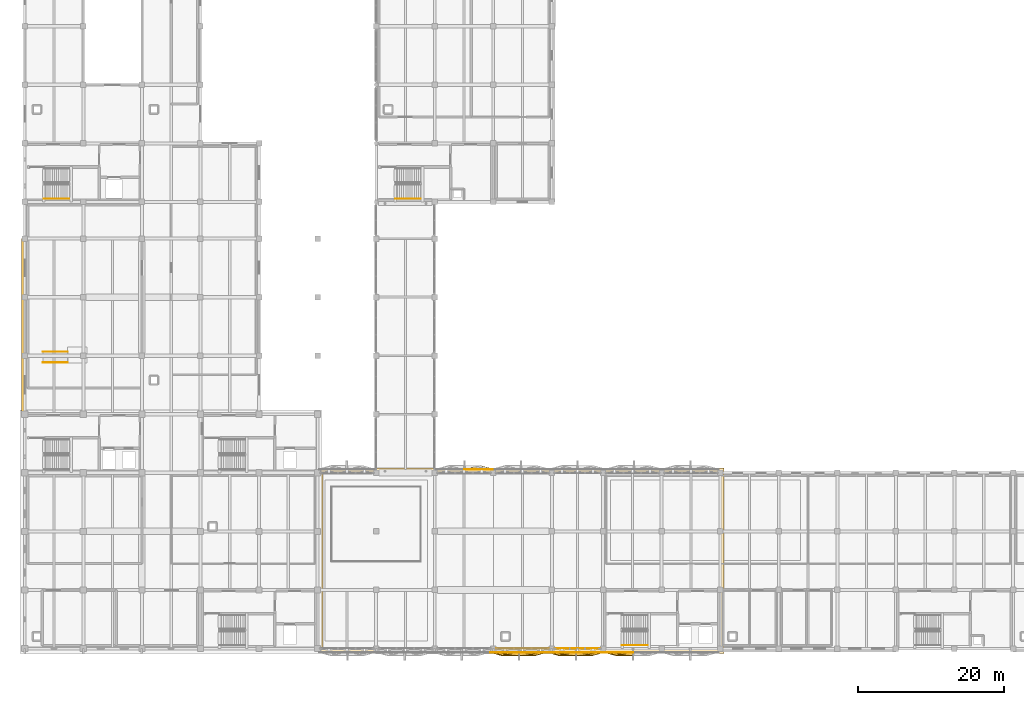
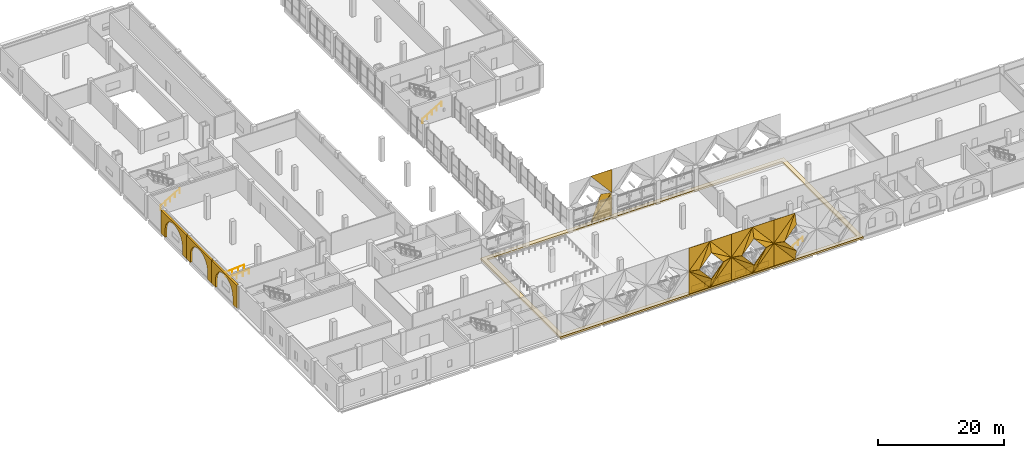
# One storey, part 45 of 53: 43 coverings, 5 railings.
"""IFC4 building model written with IfcOpenShell, lengths in metres."""

from ifc_helpers import new_model, si_unit, direction, frame, origin, origin_2d, place, context, subcontext, project, spatial, polyline, rectangle, circle, outline, extrude, material, layer, layer_set, type_object, element, save


model = new_model("IFC4")

# Units and contexts
model_context = context("Model", 3, precision=1e-05, world=origin(), true_north=direction((0.0, 1.0)))
body_context = subcontext(model_context, "Body", "Model", "MODEL_VIEW")
ifc_project = project(units=[si_unit("LENGTHUNIT", "METRE"), si_unit("AREAUNIT", "SQUARE_METRE"), si_unit("VOLUMEUNIT", "CUBIC_METRE"), si_unit("PLANEANGLEUNIT", "RADIAN"), si_unit("MASSUNIT", "GRAM", prefix="KILO")], contexts=[model_context])

# Site, building, storey
site_placement = place(None, origin())
site = spatial("IfcSite", under=ifc_project, at=site_placement, CompositionType="ELEMENT")
building_placement = place(site_placement, origin())
building = spatial("IfcBuilding", under=site, at=building_placement, Name="Qorikala Patio Media Centre", CompositionType="ELEMENT")
storey_placement = place(building_placement, frame((0.0, 0.0, 5.39990234375)))
storey = spatial("IfcBuildingStorey", under=building, at=storey_placement, Name="L01", CompositionType="ELEMENT", Elevation=5.39990234375)

# Coverings
ifc_material_1 = material(Name="Golden Bronze Anodised Aluminium Panel", Category="aluminium")
ifc_layer_1 = layer(ifc_material_1, 0.044921875)
ifc_layer_set_1 = layer_set([ifc_layer_1], Name="Golden Bronze Anodised Aluminium Panel")
covering_type_1 = type_object("IfcCoveringType", Name="COV-CLAD-GOLD", PredefinedType="CLADDING", material=ifc_layer_set_1)
for number, where, z_axis, x_axis, name in (
    (1, (80.59326171875, 3.0, 0.0), (0.0, 0.0, 1.0), (-1.0, 0.0, 0.0), "L01 Golden Diamond Fold Spandrel 025"),
    (2, (78.5, 3.0, 0.0), (0.0, 0.0, 1.0), (-1.0, 0.0, 0.0), "L01 Golden Diamond Fold Spandrel 026"),
    (3, (76.40673828125, 3.0, 0.0), (0.0, 0.0, 1.0), (-1.0, 0.0, 0.0), "L01 Golden Diamond Fold Spandrel 027"),
):
    element("IfcCovering", number, at=place(storey_placement, frame(where, z_axis=z_axis, x_axis=x_axis)), inside=storey, type_object=covering_type_1, Name=name, PredefinedType="CLADDING", context=body_context, shape_type="SweptSolid", body=[
        extrude(rectangle(XDim=1.993408203125, YDim=0.044921875, at=origin_2d()), origin(), (0.0, 0.0, 1.0), 1.077880859375),
    ])
for number, where, z_axis, x_axis, name in (
    (4, (73.4267578125, 3.0, 0.0), (0.0, 0.0, 1.0), (-1.0, 0.0, 0.0), "L01 Golden Diamond Fold Spandrel 028"),
    (5, (71.0, 3.0, 0.0), (0.0, 0.0, 1.0), (-1.0, 0.0, 0.0), "L01 Golden Diamond Fold Spandrel 029"),
    (6, (68.5732421875, 3.0, 0.0), (0.0, 0.0, 1.0), (-1.0, 0.0, 0.0), "L01 Golden Diamond Fold Spandrel 030"),
):
    element("IfcCovering", number, at=place(storey_placement, frame(where, z_axis=z_axis, x_axis=x_axis)), inside=storey, type_object=covering_type_1, Name=name, PredefinedType="CLADDING", context=body_context, shape_type="SweptSolid", body=[
        extrude(rectangle(XDim=2.32666015625, YDim=0.044921875, at=origin_2d()), origin(), (0.0, 0.0, 1.0), 1.077880859375),
    ])
covering_1_placement = place(storey_placement, frame((70.5, 2.5, 9.0), z_axis=(-0.25998959314, -0.938955221267, 0.225318671919), x_axis=(-0.654921173069, 0.0, -0.755697199324)))
element("IfcCovering", 7, at=covering_1_placement, inside=storey, type_object=covering_type_1, Name="Golden Folded Diamond Facet S-1.4.TLA", PredefinedType="CLADDING", context=body_context, shape_type="SweptSolid", body=[
    extrude(outline(polyline([(0.0, 0.0), (5.9547660147806605, 4.440892098500626e-16), (4.831038962942992, 1.3809397672346417), (0.0, 0.0)])), origin(), (0.0, 0.0, -1.0), 0.044921875),
])
covering_2_placement = place(storey_placement, frame((70.5, 2.5, 9.0), z_axis=(-0.259960295692, -0.938966460381, 0.225305638952), x_axis=(-0.434683585743, -0.094555584379, -0.895605617305)))
element("IfcCovering", 8, at=covering_2_placement, inside=storey, type_object=covering_type_1, Name="Golden Folded Diamond Facet S-1.4.TLB", PredefinedType="CLADDING", context=body_context, shape_type="SweptSolid", body=[
    extrude(outline(polyline([(0.0, 0.0), (5.024533023297128, 0.0), (1.8182047664907954, 0.9166088951760534), (0.0, 0.0)])), origin(), (0.0, 0.0, -1.0), 0.044921875),
])
covering_3_placement = place(storey_placement, frame((74.39990234375, 2.5, 4.5), z_axis=(0.259973591034, -0.938962979761, 0.225304803775), x_axis=(-0.654921173069, 0.0, 0.755697199324)))
element("IfcCovering", 9, at=covering_3_placement, inside=storey, type_object=covering_type_1, Name="Golden Folded Diamond Facet S-1.4.TRA", PredefinedType="CLADDING", context=body_context, shape_type="SweptSolid", body=[
    extrude(outline(polyline([(0.0, 0.0), (5.9547660147806605, -4.440892098500626e-16), (4.458500319829892, 1.3810247679600853), (0.0, 0.0)])), origin(), (0.0, 0.0, -1.0), 0.044921875),
])
covering_4_placement = place(storey_placement, frame((74.39990234375, 2.5, 4.5), z_axis=(0.259988869131, -0.938952606503, 0.225330403337), x_axis=(-0.83554610606, -0.10178870179, 0.539909033852)))
element("IfcCovering", 10, at=covering_4_placement, inside=storey, type_object=covering_type_1, Name="Golden Folded Diamond Facet S-1.4.TRB", PredefinedType="CLADDING", context=body_context, shape_type="SweptSolid", body=[
    extrude(outline(polyline([(0.0, 0.0), (4.667489101395145, -4.440892098500626e-16), (1.4820065544618495, 0.9866173018419853), (0.0, 0.0)])), origin(), (0.0, 0.0, -1.0), 0.044921875),
])
covering_5_placement = place(storey_placement, frame((70.5, 2.5, 0.0), z_axis=(-0.25998959314, 0.938955221267, 0.225318671919), x_axis=(0.654921173069, 0.0, 0.755697199324)))
element("IfcCovering", 11, at=covering_5_placement, inside=storey, type_object=covering_type_1, Name="Golden Folded Diamond Facet S-1.4.BRA", PredefinedType="CLADDING", context=body_context, shape_type="SweptSolid", body=[
    extrude(outline(polyline([(0.0, 0.0), (5.9547660147806605, -4.440892098500626e-16), (4.831038962942992, -1.3809397672346417), (0.0, 0.0)])), origin(), (0.0, 0.0, -1.0), 0.044921875),
])
covering_6_placement = place(storey_placement, frame((70.5, 2.5, 0.0), z_axis=(-0.259960295692, 0.938966460381, 0.225305638952), x_axis=(0.434683585743, -0.094555584379, 0.895605617305)))
element("IfcCovering", 12, at=covering_6_placement, inside=storey, type_object=covering_type_1, Name="Golden Folded Diamond Facet S-1.4.BRB", PredefinedType="CLADDING", context=body_context, shape_type="SweptSolid", body=[
    extrude(outline(polyline([(0.0, 0.0), (5.024533023297128, 0.0), (1.8182047664907954, -0.9166088951760534), (0.0, 0.0)])), origin(), (0.0, 0.0, -1.0), 0.044921875),
])
covering_7_placement = place(storey_placement, frame((66.60009765625, 2.5, 4.5), z_axis=(0.259973591034, 0.938962979761, 0.225304803775), x_axis=(0.654921173069, 0.0, -0.755697199324)))
element("IfcCovering", 13, at=covering_7_placement, inside=storey, type_object=covering_type_1, Name="Golden Folded Diamond Facet S-1.4.BLA", PredefinedType="CLADDING", context=body_context, shape_type="SweptSolid", body=[
    extrude(outline(polyline([(0.0, 0.0), (5.9547660147806605, 4.440892098500626e-16), (4.458500319829892, -1.3810247679600853), (0.0, 0.0)])), origin(), (0.0, 0.0, -1.0), 0.044921875),
])
covering_8_placement = place(storey_placement, frame((66.60009765625, 2.5, 4.5), z_axis=(0.259988869131, 0.938952606503, 0.225330403337), x_axis=(0.83554610606, -0.10178870179, -0.539909033852)))
element("IfcCovering", 14, at=covering_8_placement, inside=storey, type_object=covering_type_1, Name="Golden Folded Diamond Facet S-1.4.BLB", PredefinedType="CLADDING", context=body_context, shape_type="SweptSolid", body=[
    extrude(outline(polyline([(0.0, 0.0), (4.667489101395145, 4.440892098500626e-16), (1.4820065544618495, -0.9866173018419853), (0.0, 0.0)])), origin(), (0.0, 0.0, -1.0), 0.044921875),
])
covering_9_placement = place(storey_placement, frame((66.60009765625, 2.5, 9.0), z_axis=(0.0, 1.0, 0.0), x_axis=(1.0, 0.0, 0.0)))
element("IfcCovering", 15, at=covering_9_placement, inside=storey, type_object=covering_type_1, Name="Golden Diamond Valley Spandrel S-1.4.CTL", PredefinedType="CLADDING", context=body_context, shape_type="SweptSolid", body=[
    extrude(outline(polyline([(0.0, 0.0), (3.89990234375, 0.0), (0.0, 4.5), (0.0, 0.0)])), origin(), (0.0, 0.0, -1.0), 0.044921875),
])
covering_10_placement = place(storey_placement, frame((74.39990234375, 2.5, 9.0), z_axis=(0.0, 1.0, 0.0), x_axis=(0.0, 0.0, -1.0)))
element("IfcCovering", 16, at=covering_10_placement, inside=storey, type_object=covering_type_1, Name="Golden Diamond Valley Spandrel S-1.4.CTR", PredefinedType="CLADDING", context=body_context, shape_type="SweptSolid", body=[
    extrude(outline(polyline([(0.0, 0.0), (4.5, 0.0), (0.0, 3.89990234375), (0.0, 0.0)])), origin(), (0.0, 0.0, -1.0), 0.044921875),
])
covering_11_placement = place(storey_placement, frame((74.39990234375, 2.5, 0.0), z_axis=(0.0, 1.0, 0.0), x_axis=(-1.0, 0.0, 0.0)))
element("IfcCovering", 17, at=covering_11_placement, inside=storey, type_object=covering_type_1, Name="Golden Diamond Valley Spandrel S-1.4.CBR", PredefinedType="CLADDING", context=body_context, shape_type="SweptSolid", body=[
    extrude(outline(polyline([(0.0, 0.0), (3.89990234375, 0.0), (0.0, 4.5), (0.0, 0.0)])), origin(), (0.0, 0.0, -1.0), 0.044921875),
])
covering_12_placement = place(storey_placement, frame((66.60009765625, 2.5, 0.0), z_axis=(0.0, 1.0, 0.0), x_axis=(0.0, 0.0, 1.0)))
element("IfcCovering", 18, at=covering_12_placement, inside=storey, type_object=covering_type_1, Name="Golden Diamond Valley Spandrel S-1.4.CBL", PredefinedType="CLADDING", context=body_context, shape_type="SweptSolid", body=[
    extrude(outline(polyline([(0.0, 0.0), (4.5, 0.0), (0.0, 3.89990234375), (0.0, 0.0)])), origin(), (0.0, 0.0, -1.0), 0.044921875),
])
covering_13_placement = place(storey_placement, frame((78.300048828125, 2.5, 9.0), z_axis=(-0.259956156203, -0.938968048279, 0.22530379749), x_axis=(-0.654944585876, 0.0, -0.755676908098)))
element("IfcCovering", 19, at=covering_13_placement, inside=storey, type_object=covering_type_1, Name="Golden Folded Diamond Facet S-1.5.TLA", PredefinedType="CLADDING", context=body_context, shape_type="SweptSolid", body=[
    extrude(outline(polyline([(0.0, 0.0), (5.954925910503226, 0.0), (4.830998787915266, 1.3810803066312252), (0.0, 0.0)])), origin(), (0.0, 0.0, -1.0), 0.044921875),
])
covering_14_placement = place(storey_placement, frame((78.300048828125, 2.5, 9.0), z_axis=(-0.259960295692, -0.938966460381, 0.225305638952), x_axis=(-0.434683585743, -0.094555584379, -0.895605617305)))
element("IfcCovering", 20, at=covering_14_placement, inside=storey, type_object=covering_type_1, Name="Golden Folded Diamond Facet S-1.5.TLB", PredefinedType="CLADDING", context=body_context, shape_type="SweptSolid", body=[
    extrude(outline(polyline([(0.0, 0.0), (5.024533023297128, 0.0), (1.8182047664907954, 0.9166088951760534), (0.0, 0.0)])), origin(), (0.0, 0.0, -1.0), 0.044921875),
])
covering_15_placement = place(storey_placement, frame((82.199951171875, 2.5, 4.5), z_axis=(0.259973591034, -0.938962979761, 0.225304803775), x_axis=(-0.654921173069, 0.0, 0.755697199324)))
element("IfcCovering", 21, at=covering_15_placement, inside=storey, type_object=covering_type_1, Name="Golden Folded Diamond Facet S-1.5.TRA", PredefinedType="CLADDING", context=body_context, shape_type="SweptSolid", body=[
    extrude(outline(polyline([(0.0, 0.0), (5.9547660147806605, -4.440892098500626e-16), (4.458500319829892, 1.3810247679600853), (0.0, 0.0)])), origin(), (0.0, 0.0, -1.0), 0.044921875),
])
covering_16_placement = place(storey_placement, frame((82.199951171875, 2.5, 4.5), z_axis=(0.25995773344, -0.938973745299, 0.225278233445), x_axis=(-0.83554610606, -0.10178870179, 0.539909033852)))
element("IfcCovering", 22, at=covering_16_placement, inside=storey, type_object=covering_type_1, Name="Golden Folded Diamond Facet S-1.5.TRB", PredefinedType="CLADDING", context=body_context, shape_type="SweptSolid", body=[
    extrude(outline(polyline([(0.0, 0.0), (4.667489101395145, -4.440892098500626e-16), (1.4822105452103993, 0.9867354710967576), (0.0, 0.0)])), origin(), (0.0, 0.0, -1.0), 0.044921875),
])
covering_17_placement = place(storey_placement, frame((78.300048828125, 2.5, 0.0), z_axis=(-0.259956982212, 0.938971031843, 0.225290409823), x_axis=(0.654921173069, 0.0, 0.755697199324)))
element("IfcCovering", 23, at=covering_17_placement, inside=storey, type_object=covering_type_1, Name="Golden Folded Diamond Facet S-1.5.BRA", PredefinedType="CLADDING", context=body_context, shape_type="SweptSolid", body=[
    extrude(outline(polyline([(0.0, 0.0), (5.9547660147806605, -4.440892098500626e-16), (4.830879070078474, -1.38111300253869), (0.0, 0.0)])), origin(), (0.0, 0.0, -1.0), 0.044921875),
])
covering_18_placement = place(storey_placement, frame((78.300048828125, 2.5, 0.0), z_axis=(-0.259987393467, 0.938959366186, 0.225303936695), x_axis=(0.434644175798, -0.094557581454, 0.895624533069)))
element("IfcCovering", 24, at=covering_18_placement, inside=storey, type_object=covering_type_1, Name="Golden Folded Diamond Facet S-1.5.BRB", PredefinedType="CLADDING", context=body_context, shape_type="SweptSolid", body=[
    extrude(outline(polyline([(0.0, 0.0), (5.02442690418556, -2.220446049250313e-16), (1.8182431681390123, -0.9165327168855022), (0.0, 0.0)])), origin(), (0.0, 0.0, -1.0), 0.044921875),
])
covering_19_placement = place(storey_placement, frame((74.39990234375, 2.5, 4.5), z_axis=(0.259958417044, 0.938966952181, 0.22530575696), x_axis=(0.654944585876, 0.0, -0.755676908098)))
element("IfcCovering", 25, at=covering_19_placement, inside=storey, type_object=covering_type_1, Name="Golden Folded Diamond Facet S-1.5.BLA", PredefinedType="CLADDING", context=body_context, shape_type="SweptSolid", body=[
    extrude(outline(polyline([(0.0, 0.0), (5.954925910503226, 0.0), (4.458700391784378, -1.3810682954655882), (0.0, 0.0)])), origin(), (0.0, 0.0, -1.0), 0.044921875),
])
covering_20_placement = place(storey_placement, frame((74.39990234375, 2.5, 4.5), z_axis=(0.259956258476, 0.938968417692, 0.225302139927), x_axis=(0.835561894446, -0.101784253308, -0.539885438152)))
element("IfcCovering", 26, at=covering_20_placement, inside=storey, type_object=covering_type_1, Name="Golden Folded Diamond Facet S-1.5.BLB", PredefinedType="CLADDING", context=body_context, shape_type="SweptSolid", body=[
    extrude(outline(polyline([(0.0, 0.0), (4.667693094071031, -8.881784197001252e-16), (1.4822355256344402, -0.9866979460810914), (0.0, 0.0)])), origin(), (0.0, 0.0, -1.0), 0.044921875),
])
covering_21_placement = place(storey_placement, frame((74.39990234375, 2.5, 9.0), z_axis=(0.0, 1.0, 0.0), x_axis=(1.0, 0.0, 0.0)))
element("IfcCovering", 27, at=covering_21_placement, inside=storey, type_object=covering_type_1, Name="Golden Diamond Valley Spandrel S-1.5.CTL", PredefinedType="CLADDING", context=body_context, shape_type="SweptSolid", body=[
    extrude(outline(polyline([(0.0, 0.0), (3.900146484375, 0.0), (0.0, 4.5), (0.0, 0.0)])), origin(), (0.0, 0.0, -1.0), 0.044921875),
])
covering_22_placement = place(storey_placement, frame((82.199951171875, 2.5, 9.0), z_axis=(0.0, 1.0, 0.0), x_axis=(0.0, 0.0, -1.0)))
element("IfcCovering", 28, at=covering_22_placement, inside=storey, type_object=covering_type_1, Name="Golden Diamond Valley Spandrel S-1.5.CTR", PredefinedType="CLADDING", context=body_context, shape_type="SweptSolid", body=[
    extrude(outline(polyline([(0.0, 0.0), (4.5, 0.0), (0.0, 3.89990234375), (0.0, 0.0)])), origin(), (0.0, 0.0, -1.0), 0.044921875),
])
covering_23_placement = place(storey_placement, frame((82.199951171875, 2.5, 0.0), z_axis=(0.0, 1.0, 0.0), x_axis=(-1.0, 0.0, 0.0)))
element("IfcCovering", 29, at=covering_23_placement, inside=storey, type_object=covering_type_1, Name="Golden Diamond Valley Spandrel S-1.5.CBR", PredefinedType="CLADDING", context=body_context, shape_type="SweptSolid", body=[
    extrude(outline(polyline([(0.0, 0.0), (3.89990234375, 0.0), (0.0, 4.5), (0.0, 0.0)])), origin(), (0.0, 0.0, -1.0), 0.044921875),
])
covering_24_placement = place(storey_placement, frame((74.39990234375, 2.5, 0.0), z_axis=(0.0, 1.0, 0.0), x_axis=(0.0, 0.0, 1.0)))
element("IfcCovering", 30, at=covering_24_placement, inside=storey, type_object=covering_type_1, Name="Golden Diamond Valley Spandrel S-1.5.CBL", PredefinedType="CLADDING", context=body_context, shape_type="SweptSolid", body=[
    extrude(outline(polyline([(0.0, 0.0), (4.5, 0.0), (0.0, 3.900146484375), (0.0, 0.0)])), origin(), (0.0, 0.0, -1.0), 0.044921875),
])
covering_25_placement = place(storey_placement, frame((86.10009765625, 2.5, 9.0), z_axis=(-0.259956156203, -0.938968048279, 0.22530379749), x_axis=(-0.654944585876, 0.0, -0.755676908098)))
element("IfcCovering", 31, at=covering_25_placement, inside=storey, type_object=covering_type_1, Name="Golden Folded Diamond Facet S-1.6.TLA", PredefinedType="CLADDING", context=body_context, shape_type="SweptSolid", body=[
    extrude(outline(polyline([(0.0, 0.0), (5.954925910503226, 0.0), (4.830998787915266, 1.3810803066312252), (0.0, 0.0)])), origin(), (0.0, 0.0, -1.0), 0.044921875),
])
covering_26_placement = place(storey_placement, frame((86.10009765625, 2.5, 9.0), z_axis=(-0.259960295692, -0.938966460381, 0.225305638952), x_axis=(-0.434683585743, -0.094555584379, -0.895605617305)))
element("IfcCovering", 32, at=covering_26_placement, inside=storey, type_object=covering_type_1, Name="Golden Folded Diamond Facet S-1.6.TLB", PredefinedType="CLADDING", context=body_context, shape_type="SweptSolid", body=[
    extrude(outline(polyline([(0.0, 0.0), (5.024533023297128, 0.0), (1.8182047664907954, 0.9166088951760534), (0.0, 0.0)])), origin(), (0.0, 0.0, -1.0), 0.044921875),
])
covering_27_placement = place(storey_placement, frame((82.199951171875, 2.5, 4.5), z_axis=(0.259958417044, 0.938966952181, 0.22530575696), x_axis=(0.654944585876, 0.0, -0.755676908098)))
element("IfcCovering", 33, at=covering_27_placement, inside=storey, type_object=covering_type_1, Name="Golden Folded Diamond Facet S-1.6.BLA", PredefinedType="CLADDING", context=body_context, shape_type="SweptSolid", body=[
    extrude(outline(polyline([(0.0, 0.0), (5.954925910503226, 0.0), (4.458700391784378, -1.3810682954655882), (0.0, 0.0)])), origin(), (0.0, 0.0, -1.0), 0.044921875),
])
covering_28_placement = place(storey_placement, frame((82.199951171875, 2.5, 4.5), z_axis=(0.259956258476, 0.938968417692, 0.225302139927), x_axis=(0.835561894446, -0.101784253308, -0.539885438152)))
element("IfcCovering", 34, at=covering_28_placement, inside=storey, type_object=covering_type_1, Name="Golden Folded Diamond Facet S-1.6.BLB", PredefinedType="CLADDING", context=body_context, shape_type="SweptSolid", body=[
    extrude(outline(polyline([(0.0, 0.0), (4.667693094071031, -8.881784197001252e-16), (1.4822355256344402, -0.9866979460810914), (0.0, 0.0)])), origin(), (0.0, 0.0, -1.0), 0.044921875),
])
covering_29_placement = place(storey_placement, frame((82.199951171875, 2.5, 9.0), z_axis=(0.0, 1.0, 0.0), x_axis=(1.0, 0.0, 0.0)))
element("IfcCovering", 35, at=covering_29_placement, inside=storey, type_object=covering_type_1, Name="Golden Diamond Valley Spandrel S-1.6.CTL", PredefinedType="CLADDING", context=body_context, shape_type="SweptSolid", body=[
    extrude(outline(polyline([(0.0, 0.0), (3.900146484375, 0.0), (0.0, 4.5), (0.0, 0.0)])), origin(), (0.0, 0.0, -1.0), 0.044921875),
])
covering_30_placement = place(storey_placement, frame((82.199951171875, 2.5, 0.0), z_axis=(0.0, 1.0, 0.0), x_axis=(0.0, 0.0, 1.0)))
element("IfcCovering", 36, at=covering_30_placement, inside=storey, type_object=covering_type_1, Name="Golden Diamond Valley Spandrel S-1.6.CBL", PredefinedType="CLADDING", context=body_context, shape_type="SweptSolid", body=[
    extrude(outline(polyline([(0.0, 0.0), (4.5, 0.0), (0.0, 3.900146484375), (0.0, 0.0)])), origin(), (0.0, 0.0, -1.0), 0.044921875),
])
covering_31_placement = place(storey_placement, frame((63.06005859375, 27.5, 0.0), z_axis=(-0.262496439609, -0.938296625859, 0.22515563749), x_axis=(0.651055854923, 0.0, 0.759029824032)))
element("IfcCovering", 37, at=covering_31_placement, inside=storey, type_object=covering_type_1, Name="Golden Folded Diamond Facet N-1.1.BRA", PredefinedType="CLADDING", context=body_context, shape_type="SweptSolid", body=[
    extrude(outline(polyline([(0.0, 0.0), (5.928620796605397, 0.0), (4.822970277355765, 1.3737835490578736), (0.0, 0.0)])), origin(), (0.0, 0.0, -1.0), 0.044921875),
])
covering_32_placement = place(storey_placement, frame((66.919921875, 27.5, 9.0), z_axis=(0.0, 1.0, 0.0), x_axis=(0.0, 0.0, -1.0)))
element("IfcCovering", 38, at=covering_32_placement, inside=storey, type_object=covering_type_1, Name="Golden Diamond Valley Spandrel N-1.1.CTR", PredefinedType="CLADDING", context=body_context, shape_type="SweptSolid", body=[
    extrude(outline(polyline([(0.0, 0.0), (4.5, 0.0), (0.0, 3.85986328125), (0.0, 0.0)])), origin(), (0.0, 0.0, -1.0), 0.044921875),
])
covering_33_placement = place(storey_placement, frame((66.919921875, 27.5, 0.0), z_axis=(0.0, 1.0, 0.0), x_axis=(-1.0, 0.0, 0.0)))
element("IfcCovering", 39, at=covering_33_placement, inside=storey, type_object=covering_type_1, Name="Golden Diamond Valley Spandrel N-1.1.CBR", PredefinedType="CLADDING", context=body_context, shape_type="SweptSolid", body=[
    extrude(outline(polyline([(0.0, 0.0), (3.85986328125, 0.0), (0.0, 4.5), (0.0, 0.0)])), origin(), (0.0, 0.0, -1.0), 0.044921875),
])
ifc_material_2 = material(Name="Comanche Granite Ashlar Stone", Category="masonry")
ifc_layer_2 = layer(ifc_material_2, 0.06005859375)
ifc_layer_set_2 = layer_set([ifc_layer_2], Name="Comanche Granite Ashlar Stone")
covering_type_2 = type_object("IfcCoveringType", Name="COV-CLAD-STONE", PredefinedType="CLADDING", material=ifc_layer_set_2)
for number, where, z_axis, x_axis, name in (
    (40, (2.719970703125, 35.0, 0.0), (0.0, 0.0, 1.0), (0.0, 1.0, 0.0), "Spanish Colonial Stone Arched Arcade UARC-V3W-1"),
    (41, (2.719970703125, 43.0, 0.0), (0.0, 0.0, 1.0), (0.0, 1.0, 0.0), "Spanish Colonial Stone Arched Arcade UARC-V3W-2"),
    (42, (2.719970703125, 51.0, 0.0), (0.0, 0.0, 1.0), (0.0, 1.0, 0.0), "Spanish Colonial Stone Arched Arcade UARC-V3W-3"),
):
    element("IfcCovering", number, at=place(storey_placement, frame(where, z_axis=z_axis, x_axis=x_axis)), inside=storey, type_object=covering_type_2, Name=name, PredefinedType="CLADDING", context=body_context, shape_type="SweptSolid", body=[
        extrude(outline(polyline([(0.0, 0.0), (1.25, 0.0), (1.25, 1.429931640625), (1.31884765625, 2.0419921875), (1.522216796875, 2.623291015625), (1.85009765625, 3.14453125), (2.285400390625, 3.580078125), (2.806884765625, 3.90771484375), (3.38818359375, 4.111083984375), (4.0, 4.179931640625), (4.61181640625, 4.111083984375), (5.193115234375, 3.90771484375), (5.714599609375, 3.580078125), (6.14990234375, 3.14453125), (6.477783203125, 2.623291015625), (6.68115234375, 2.0419921875), (6.75, 1.429931640625), (6.75, 0.0), (8.0, 0.0), (8.0, 4.5), (0.0, 4.5), (0.0, 0.0)])), frame((0.0, 0.18017578125, 0.0), z_axis=(0.0, -1.0, 0.0), x_axis=(1.0, 0.0, 0.0)), (0.0, 0.0, 1.0), 0.360107421875),
    ])
covering_34_placement = place(storey_placement, frame((0.0, 0.0, -0.25)))
element("IfcCovering", 43, at=covering_34_placement, inside=storey, type_object=covering_type_2, Name="Classical Moulded Stone Cornice CORN-V2-BASE", PredefinedType="CLADDING", context=body_context, shape_type="SweptSolid", body=[
    extrude(outline(polyline([(43.0, 2.35009765625), (98.550048828125, 2.35009765625), (98.550048828125, 27.64990234375), (43.0, 27.64990234375), (43.0, 2.35009765625)]), holes=[polyline([(43.75, 3.10009765625), (97.800048828125, 3.10009765625), (97.800048828125, 26.89990234375), (43.75, 26.89990234375), (43.75, 3.10009765625)])]), origin(), (0.0, 0.0, 1.0), 0.35009765625),
])

# Railings
ifc_material_3 = material(Name="Brushed Bronze Tubular Steel S355", Category="steel")
railing_type = type_object("IfcRailingType", Name="RL-HAND-090", PredefinedType="HANDRAIL", material=ifc_material_3)
for number, where, name in (
    (44, (5.60009765625, 64.449951171875, 0.173095703125), "L01 ST-3 stair handrail 1"),
    (45, (84.60009765625, 3.449951171875, 0.173095703125), "L01 ST-4 stair handrail 1"),
    (46, (53.60009765625, 64.449951171875, 0.173095703125), "L01 ST-6 stair handrail 1"),
):
    element("IfcRailing", number, at=place(storey_placement, frame(where)), inside=storey, type_object=railing_type, Name=name, PredefinedType="HANDRAIL", context=body_context, shape_type="SweptSolid", body=[
        extrude(circle(Radius=0.02392578125, at=origin_2d()), frame((0.0, 0.0, 0.8759765625), z_axis=(0.858697190188, 0.0, 0.512483302717), x_axis=(0.0, 1.0, 0.0)), (0.0, 0.0, 1.0), 4.052734375),
        extrude(circle(Radius=0.02099609375, at=origin_2d()), origin(), (0.0, 0.0, 1.0), 0.851806640625),
        extrude(circle(Radius=0.02099609375, at=origin_2d()), frame((0.8701171875, 0.0, 0.519287109375)), (0.0, 0.0, 1.0), 0.851806640625),
        extrude(circle(Radius=0.02099609375, at=origin_2d()), frame((1.739990234375, 0.0, 1.03857421875)), (0.0, 0.0, 1.0), 0.851806640625),
        extrude(circle(Radius=0.02099609375, at=origin_2d()), frame((2.60986328125, 0.0, 1.5576171875)), (0.0, 0.0, 1.0), 0.851806640625),
        extrude(circle(Radius=0.02099609375, at=origin_2d()), frame((3.47998046875, 0.0, 2.076904296875)), (0.0, 0.0, 1.0), 0.851806640625),
    ])
for number, where, name in (
    (47, (5.5, 42.06005859375, 0.0), "RP-02 Accessible Ramp Handrail L"),
    (48, (5.5, 43.5400390625, 0.0), "RP-02 Accessible Ramp Handrail R"),
):
    element("IfcRailing", number, at=place(storey_placement, frame(where)), inside=storey, type_object=railing_type, Name=name, PredefinedType="HANDRAIL", context=body_context, shape_type="SweptSolid", body=[
        extrude(circle(Radius=0.02392578125, at=origin_2d()), frame((0.0, 0.0, 0.8759765625), z_axis=(0.997459067706, 0.0, 0.071241899553), x_axis=(0.0, 1.0, 0.0)), (0.0, 0.0, 1.0), 3.36865234375),
        extrude(circle(Radius=0.02099609375, at=origin_2d()), origin(), (0.0, 0.0, 1.0), 0.851806640625),
        extrude(circle(Radius=0.02099609375, at=origin_2d()), frame((1.1201171875, 0.0, 0.080078125)), (0.0, 0.0, 1.0), 0.851806640625),
        extrude(circle(Radius=0.02099609375, at=origin_2d()), frame((2.239990234375, 0.0, 0.159912109375)), (0.0, 0.0, 1.0), 0.851806640625),
        extrude(circle(Radius=0.02099609375, at=origin_2d()), frame((3.360107421875, 0.0, 0.239990234375)), (0.0, 0.0, 1.0), 0.851806640625),
    ])

save(model, "model.ifc")
